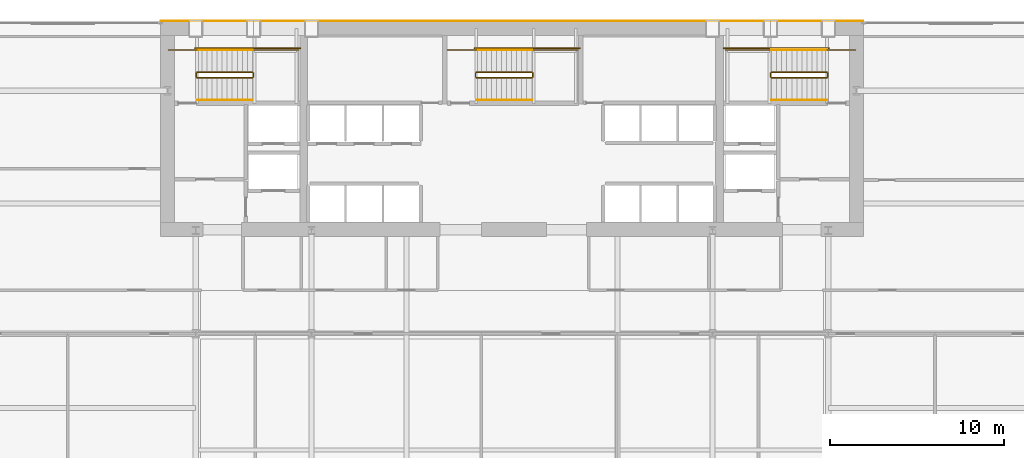
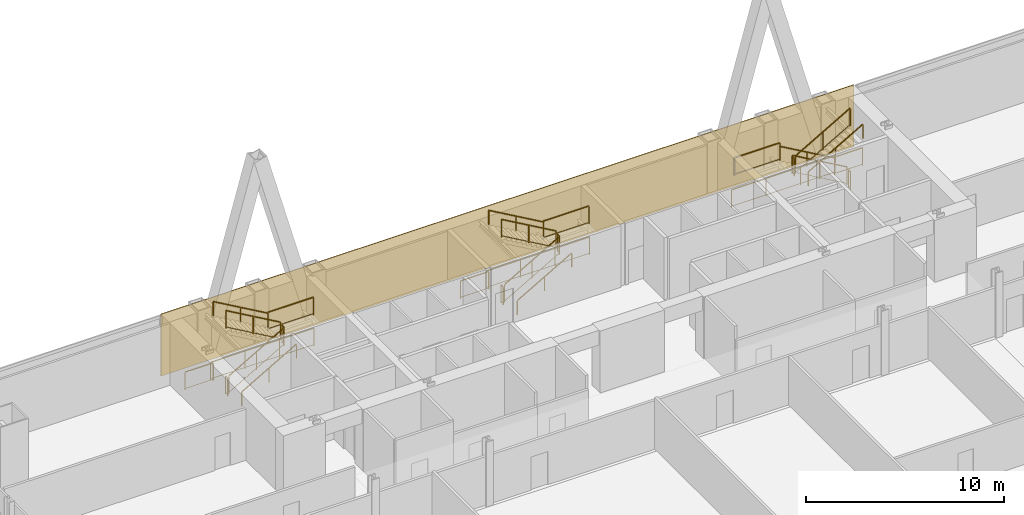
# One storey, part 36 of 37: 27 railings, 1 covering.
"""IFC4 building model written with IfcOpenShell, lengths in metres."""

import ifcopenshell
import ifcopenshell.guid

model = None  # the IFC model being written
_history = None  # IfcOwnerHistory: only IFC2X3 demands one
_inside = {}  # id of a spatial element -> (the spatial element, [elements in it])
_under = {}  # id of a project, library or spatial element -> (it, [spatial elements below it])
_declared = {}  # id of a project -> (the project, [libraries it declares])
_typed = {}  # id of a type object -> (the type object, [elements of that type])
_made_of = {}  # id of a material, layer set ... -> (it, [elements and type objects made of it])


def new_model(schema):
    """Start an empty IFC model of exactly this schema.

    Asked for "IFC4X3", IfcOpenShell would pick the latest addendum, in which some entities
    have other attributes; the version numbers below select the first issue.
    IFC2X3 requires an IfcOwnerHistory on every rooted entity: one is made here for all.
    """
    global model, _history
    if schema == "IFC4X3":
        model = ifcopenshell.file(schema_version=(4, 3, 0, 0))
    else:
        model = ifcopenshell.file(schema=schema)
    _inside.clear()
    _under.clear()
    _declared.clear()
    _typed.clear()
    _made_of.clear()
    _history = None
    if model.schema == "IFC2X3":
        org = make("IfcOrganization", Name="unknown")
        user = make(
            "IfcPersonAndOrganization",
            ThePerson=make("IfcPerson", FamilyName="unknown"),
            TheOrganization=org,
        )
        app = make(
            "IfcApplication",
            ApplicationDeveloper=org,
            Version="unknown",
            ApplicationFullName="unknown",
            ApplicationIdentifier="unknown",
        )
        _history = make(
            "IfcOwnerHistory",
            OwningUser=user,
            OwningApplication=app,
            ChangeAction="ADDED",
            CreationDate=0,
        )
    return model


def make(cls, **values):
    """One entity of the class cls with the attributes given. An attribute that is None is left unset."""
    return model.create_entity(
        cls, **{name: value for name, value in values.items() if value is not None}
    )


def rooted(cls, **values):
    """An entity with a GlobalId (a new one), such as an element, a storey or a relation."""
    return make(cls, GlobalId=ifcopenshell.guid.new(), OwnerHistory=_history, **values)


def si_unit(unit_type, name, prefix=None):
    """IfcSIUnit, for example si_unit("LENGTHUNIT", "METRE", prefix="MILLI")."""
    return make("IfcSIUnit", UnitType=unit_type, Prefix=prefix, Name=name)


def assignment(units):
    """IfcUnitAssignment: the units of a project."""
    return None if units is None else make("IfcUnitAssignment", Units=units)


def point(xyz):
    """IfcCartesianPoint."""
    return None if xyz is None else make("IfcCartesianPoint", Coordinates=xyz)


def direction(xyz):
    """IfcDirection."""
    return None if xyz is None else make("IfcDirection", DirectionRatios=xyz)


def frame(location, z_axis=None, x_axis=None):
    """IfcAxis2Placement3D, a coordinate frame: its origin and axes. An axis left out is left unset."""
    return make(
        "IfcAxis2Placement3D",
        Location=point(location),
        Axis=direction(z_axis),
        RefDirection=direction(x_axis),
    )


def frame_2d(location, x_axis=None):
    """IfcAxis2Placement2D, a coordinate frame in the plane: its origin and x axis."""
    return make(
        "IfcAxis2Placement2D", Location=point(location), RefDirection=direction(x_axis)
    )


def origin():
    """The frame at (0, 0, 0) with its axes left unset."""
    return frame((0.0, 0.0, 0.0))


def origin_2d():
    """The frame at (0, 0) in the plane with its x axis left unset."""
    return frame_2d((0.0, 0.0))


def place(relative_to, where):
    """IfcLocalPlacement: puts the frame where relative to a parent placement (None: the world)."""
    return make(
        "IfcLocalPlacement", PlacementRelTo=relative_to, RelativePlacement=where
    )


def context(
    kind, dimensions, precision=None, world=None, true_north=None, identifier=None
):
    """IfcGeometricRepresentationContext, for example the 3D "Model" context."""
    return make(
        "IfcGeometricRepresentationContext",
        ContextIdentifier=identifier,
        ContextType=kind,
        CoordinateSpaceDimension=dimensions,
        Precision=precision,
        WorldCoordinateSystem=world,
        TrueNorth=true_north,
    )


def subcontext(parent, identifier, kind, view, scale=None):
    """IfcGeometricRepresentationSubContext, for example "Body" below "Model"."""
    return make(
        "IfcGeometricRepresentationSubContext",
        ContextIdentifier=identifier,
        ContextType=kind,
        ParentContext=parent,
        TargetScale=scale,
        TargetView=view,
    )


def project(units=None, contexts=None):
    """IfcProject with its units and contexts."""
    return rooted(
        "IfcProject",
        Name="project",
        RepresentationContexts=contexts,
        UnitsInContext=assignment(units),
    )


def spatial(cls, under=None, at=None, **own):
    """A site, building, storey or space (cls), placed at a placement, below another one or the project."""
    s = rooted(cls, ObjectPlacement=at, **own)
    if under is not None:
        _under.setdefault(under.id(), (under, []))[1].append(s)
    return s


def polyline(points):
    """IfcPolyline through the points."""
    return make("IfcPolyline", Points=[point(p) for p in points])


def profile(cls, at=None, kind="AREA", **sizes):
    """A parametric profile (cls). Its sizes go by their IFC names, for example OverallWidth=200.0."""
    return make(cls, ProfileType=kind, Position=at, **sizes)


def rectangle(**sizes):
    """IfcRectangleProfileDef."""
    return profile("IfcRectangleProfileDef", **sizes)


def outline(outer, holes=None, kind="AREA"):
    """IfcArbitraryClosedProfileDef: a profile drawn as a closed curve; with holes, ...WithVoids."""
    if holes is None:
        return make("IfcArbitraryClosedProfileDef", ProfileType=kind, OuterCurve=outer)
    return make(
        "IfcArbitraryProfileDefWithVoids",
        ProfileType=kind,
        OuterCurve=outer,
        InnerCurves=holes,
    )


def extrude(swept, where, along, depth):
    """IfcExtrudedAreaSolid: the profile swept, set in the frame where, extruded along a direction by depth."""
    return make(
        "IfcExtrudedAreaSolid",
        SweptArea=swept,
        Position=where,
        ExtrudedDirection=direction(along),
        Depth=depth,
    )


def shape(context_of_items, identifier, shape_type, items):
    """IfcShapeRepresentation: the items that make up one representation, for example the "Body"."""
    return make(
        "IfcShapeRepresentation",
        ContextOfItems=context_of_items,
        RepresentationIdentifier=identifier,
        RepresentationType=shape_type,
        Items=items,
    )


def material(Name=None, Category=None):
    """IfcMaterial."""
    return make("IfcMaterial", Name=Name, Category=Category)


def layer(
    of_material, thickness, ventilated=None, Name=None, Category=None, Priority=None
):
    """IfcMaterialLayer: one layer of a wall or slab, of a material (None: an air gap)."""
    return make(
        "IfcMaterialLayer",
        Material=of_material,
        LayerThickness=thickness,
        IsVentilated=ventilated,
        Name=Name,
        Category=Category,
        Priority=Priority,
    )


def layer_set(layers, Name=None):
    """IfcMaterialLayerSet."""
    return make("IfcMaterialLayerSet", MaterialLayers=layers, LayerSetName=Name)


def made_of(thing, what):
    """Note that an element or type object is made of a material, layer set ...; save() writes the relation."""
    if what is not None:
        _made_of.setdefault(what.id(), (what, []))[1].append(thing)
    return thing


def type_object(cls, material=None, **own):
    """A type object (cls), such as IfcWallType, which elements share."""
    return made_of(rooted(cls, **own), material)


def element(
    cls,
    number,
    at=None,
    inside=None,
    cuts=None,
    type_object=None,
    material=None,
    context=None,
    identifier="Body",
    shape_type=None,
    held_by="IfcProductDefinitionShape",
    body=None,
    shapes=None,
    **own,
):
    """One element of the class cls, such as IfcWall. Its Tag is "e" and its number.

    at: its placement. inside: the storey or other place that contains it. cuts: it is an
    opening in that element (IfcRelVoidsElement). A single representation is given by context,
    identifier, shape_type and body (its items); several are given by shapes. held_by: the class
    of the entity that holds the representations. save() writes the other relations.
    """
    e = rooted(cls, Tag="e%d" % number, ObjectPlacement=at, **own)
    if body is not None:
        shapes = [shape(context, identifier, shape_type, body)]
    if shapes is not None:
        e.Representation = make(held_by, Representations=shapes)
    if inside is not None:
        _inside.setdefault(inside.id(), (inside, []))[1].append(e)
    if cuts is not None:
        rooted(
            "IfcRelVoidsElement", RelatingBuildingElement=cuts, RelatedOpeningElement=e
        )
    if type_object is not None:
        _typed.setdefault(type_object.id(), (type_object, []))[1].append(e)
    return made_of(e, material)


def aggregate(whole, parts):
    """IfcRelAggregates: a whole, such as a stair, and the parts it consists of."""
    return rooted("IfcRelAggregates", RelatingObject=whole, RelatedObjects=parts)


def save(model, path):
    """Write the relations noted so far, then the file.

    IfcRelAggregates (storeys below a building ...), IfcRelContainedInSpatialStructure (elements
    in a storey), IfcRelDefinesByType, IfcRelAssociatesMaterial and IfcRelDeclares: one each for
    every whole, place, type object, material and project.
    """
    for whole, parts in _under.values():
        aggregate(whole, parts)
    for where, things in _inside.values():
        rooted(
            "IfcRelContainedInSpatialStructure",
            RelatedElements=things,
            RelatingStructure=where,
        )
    for kind, things in _typed.values():
        rooted("IfcRelDefinesByType", RelatedObjects=things, RelatingType=kind)
    for what, things in _made_of.values():
        rooted("IfcRelAssociatesMaterial", RelatedObjects=things, RelatingMaterial=what)
    for by, libraries in _declared.values():
        rooted("IfcRelDeclares", RelatingContext=by, RelatedDefinitions=libraries)
    model.write(path)


model = new_model("IFC4")

# Units and contexts
model_context = context("Model", 3, precision=1e-05, world=origin(), true_north=direction((0.0, 1.0)))
body_context = subcontext(model_context, "Body", "Model", "MODEL_VIEW")
ifc_project = project(units=[si_unit("LENGTHUNIT", "METRE"), si_unit("AREAUNIT", "SQUARE_METRE"), si_unit("VOLUMEUNIT", "CUBIC_METRE"), si_unit("PLANEANGLEUNIT", "RADIAN"), si_unit("MASSUNIT", "GRAM", prefix="KILO")], contexts=[model_context])

# Site, building, storey
site_placement = place(None, origin())
site = spatial("IfcSite", under=ifc_project, at=site_placement, CompositionType="ELEMENT")
building_placement = place(site_placement, origin())
building = spatial("IfcBuilding", under=site, at=building_placement, Name="Khoronbel Lancet Exchange", CompositionType="ELEMENT")
storey_placement = place(building_placement, frame((0.0, 0.0, 61.800048828125)))
storey = spatial("IfcBuildingStorey", under=building, at=storey_placement, Name="L14", CompositionType="ELEMENT", Elevation=61.800048828125)

# Covering
ifc_material_1 = material(Name="Honed Egyptian Limestone & Bronze Rainscreen", Category="masonry")
ifc_layer = layer(ifc_material_1, 0.050048828125, Name="Honed Egyptian Limestone & Bronze Rainscreen")
ifc_layer_set = layer_set([ifc_layer], Name="Honed Egyptian Limestone & Bronze Rainscreen")
covering_type = type_object("IfcCoveringType", Name="COV-CLAD1", PredefinedType="CLADDING", material=ifc_layer_set)
covering_placement = place(storey_placement, origin())
element("IfcCovering", 1, at=covering_placement, inside=storey, type_object=covering_type, Name="Level L14 north rear-core stone and bronze rainscreen cladding", PredefinedType="CLADDING", context=body_context, shape_type="SweptSolid", body=[
    extrude(outline(polyline([(16.199951171875, 53.699951171875), (56.699951171875, 53.699951171875), (56.699951171875, 53.75), (16.199951171875, 53.75), (16.199951171875, 53.699951171875)])), origin(), (0.0, 0.0, 1.0), 3.820068359375),
])

# Railings
ifc_material_2 = material(Name="Painted Steel Balustrade", Category="steel")
railing_type_1 = type_object("IfcRailingType", Name="RL-STG110", PredefinedType="GUARDRAIL", material=ifc_material_2)
railing_1_placement = place(storey_placement, frame((18.300048828125, 50.449951171875, 0.16650390625)))
element("IfcRailing", 2, at=railing_1_placement, inside=storey, type_object=railing_type_1, Name="L14 ST1 stair guard 1", PredefinedType="GUARDRAIL", context=body_context, shape_type="SweptSolid", body=[
    extrude(rectangle(XDim=0.048095703125, YDim=0.048095703125, at=origin_2d()), frame((0.0, 0.0, 1.09619140625), z_axis=(0.86699087805, 0.0, 0.498324008431), x_axis=(0.0, 1.0, 0.0)), (0.0, 0.0, 1.0), 3.679443359375),
    extrude(rectangle(XDim=0.02392578125, YDim=0.02392578125, at=origin_2d()), frame((0.0, 0.0, 0.080078125), z_axis=(0.86699087805, 0.0, 0.498324008431), x_axis=(0.0, 1.0, 0.0)), (0.0, 0.0, 1.0), 3.679443359375),
    extrude(rectangle(XDim=0.0419921875, YDim=0.0419921875, at=origin_2d()), origin(), (0.0, 0.0, 1.0), 1.072021484375),
    extrude(rectangle(XDim=0.0419921875, YDim=0.0419921875, at=origin_2d()), frame((1.594970703125, 0.0, 0.916748046875)), (0.0, 0.0, 1.0), 1.072021484375),
    extrude(rectangle(XDim=0.0419921875, YDim=0.0419921875, at=origin_2d()), frame((3.18994140625, 0.0, 1.83349609375)), (0.0, 0.0, 1.0), 1.072021484375),
])
railing_2_placement = place(storey_placement, frame((21.5400390625, 50.5, 2.0)))
element("IfcRailing", 3, at=railing_2_placement, inside=storey, type_object=railing_type_1, Name="L14 ST1 stair guard 2", PredefinedType="GUARDRAIL", context=body_context, shape_type="SweptSolid", body=[
    extrude(rectangle(XDim=0.048095703125, YDim=0.048095703125, at=origin_2d()), frame((0.0, 0.0, 1.09619140625), z_axis=(0.0, 1.0, 0.0), x_axis=(-1.0, 0.0, 0.0)), (0.0, 0.0, 1.0), 0.219970703125),
    extrude(rectangle(XDim=0.02392578125, YDim=0.02392578125, at=origin_2d()), frame((0.0, 0.0, 0.080078125), z_axis=(0.0, 1.0, 0.0), x_axis=(-1.0, 0.0, 0.0)), (0.0, 0.0, 1.0), 0.219970703125),
    extrude(rectangle(XDim=0.0419921875, YDim=0.0419921875, at=origin_2d()), origin(), (0.0, 0.0, 1.0), 1.072021484375),
    extrude(rectangle(XDim=0.0419921875, YDim=0.0419921875, at=origin_2d()), frame((0.0, 0.219970703125, 0.0)), (0.0, 0.0, 1.0), 1.072021484375),
])
railing_3_placement = place(storey_placement, frame((21.489990234375, 52.050048828125, 2.0)))
element("IfcRailing", 4, at=railing_3_placement, inside=storey, type_object=railing_type_1, Name="L14 ST1 stair guard 3", PredefinedType="GUARDRAIL", context=body_context, shape_type="SweptSolid", body=[
    extrude(rectangle(XDim=0.048095703125, YDim=0.048095703125, at=origin_2d()), frame((0.0, 0.0, 1.09619140625), z_axis=(1.0, 0.0, 0.0), x_axis=(0.0, 1.0, 0.0)), (0.0, 0.0, 1.0), 2.659912109375),
    extrude(rectangle(XDim=0.02392578125, YDim=0.02392578125, at=origin_2d()), frame((0.0, 0.0, 0.080078125), z_axis=(1.0, 0.0, 0.0), x_axis=(0.0, 1.0, 0.0)), (0.0, 0.0, 1.0), 2.659912109375),
    extrude(rectangle(XDim=0.0419921875, YDim=0.0419921875, at=origin_2d()), origin(), (0.0, 0.0, 1.0), 1.072021484375),
    extrude(rectangle(XDim=0.0419921875, YDim=0.0419921875, at=origin_2d()), frame((2.659912109375, 0.0, 0.0)), (0.0, 0.0, 1.0), 1.072021484375),
])
railing_4_placement = place(storey_placement, frame((21.489990234375, 50.77001953125, 2.16650390625)))
element("IfcRailing", 5, at=railing_4_placement, inside=storey, type_object=railing_type_1, Name="L14 ST1 stair guard 4", PredefinedType="GUARDRAIL", context=body_context, shape_type="SweptSolid", body=[
    extrude(rectangle(XDim=0.048095703125, YDim=0.048095703125, at=origin_2d()), frame((0.0, 0.0, 1.09619140625), z_axis=(-0.86699087805, 0.0, 0.498324008431), x_axis=(0.0, -1.0, 0.0)), (0.0, 0.0, 1.0), 3.679443359375),
    extrude(rectangle(XDim=0.02392578125, YDim=0.02392578125, at=origin_2d()), frame((0.0, 0.0, 0.080078125), z_axis=(-0.86699087805, 0.0, 0.498324008431), x_axis=(0.0, -1.0, 0.0)), (0.0, 0.0, 1.0), 3.679443359375),
    extrude(rectangle(XDim=0.0419921875, YDim=0.0419921875, at=origin_2d()), origin(), (0.0, 0.0, 1.0), 1.072021484375),
    extrude(rectangle(XDim=0.0419921875, YDim=0.0419921875, at=origin_2d()), frame((-1.594970703125, 0.0, 0.916748046875)), (0.0, 0.0, 1.0), 1.072021484375),
    extrude(rectangle(XDim=0.0419921875, YDim=0.0419921875, at=origin_2d()), frame((-3.18994140625, 0.0, 1.83349609375)), (0.0, 0.0, 1.0), 1.072021484375),
])
railing_5_placement = place(storey_placement, frame((18.25, 50.5, 0.0)))
element("IfcRailing", 6, at=railing_5_placement, inside=storey, type_object=railing_type_1, Name="L14 ST1 stair guard 5", PredefinedType="GUARDRAIL", context=body_context, shape_type="SweptSolid", body=[
    extrude(rectangle(XDim=0.048095703125, YDim=0.048095703125, at=origin_2d()), frame((0.0, 0.0, 1.09619140625), z_axis=(0.0, 1.0, 0.0), x_axis=(-1.0, 0.0, 0.0)), (0.0, 0.0, 1.0), 0.219970703125),
    extrude(rectangle(XDim=0.02392578125, YDim=0.02392578125, at=origin_2d()), frame((0.0, 0.0, 0.080078125), z_axis=(0.0, 1.0, 0.0), x_axis=(-1.0, 0.0, 0.0)), (0.0, 0.0, 1.0), 0.219970703125),
    extrude(rectangle(XDim=0.0419921875, YDim=0.0419921875, at=origin_2d()), origin(), (0.0, 0.0, 1.0), 1.072021484375),
    extrude(rectangle(XDim=0.0419921875, YDim=0.0419921875, at=origin_2d()), frame((0.0, 0.219970703125, 0.0)), (0.0, 0.0, 1.0), 1.072021484375),
])
railing_6_placement = place(storey_placement, frame((16.64990234375, 52.050048828125, 0.0)))
element("IfcRailing", 7, at=railing_6_placement, inside=storey, type_object=railing_type_1, Name="L14 ST1 stair guard 6", PredefinedType="GUARDRAIL", context=body_context, shape_type="SweptSolid", body=[
    extrude(rectangle(XDim=0.048095703125, YDim=0.048095703125, at=origin_2d()), frame((0.0, 0.0, 1.09619140625), z_axis=(1.0, 0.0, 0.0), x_axis=(0.0, 1.0, 0.0)), (0.0, 0.0, 1.0), 1.650146484375),
    extrude(rectangle(XDim=0.02392578125, YDim=0.02392578125, at=origin_2d()), frame((0.0, 0.0, 0.080078125), z_axis=(1.0, 0.0, 0.0), x_axis=(0.0, 1.0, 0.0)), (0.0, 0.0, 1.0), 1.650146484375),
    extrude(rectangle(XDim=0.0419921875, YDim=0.0419921875, at=origin_2d()), origin(), (0.0, 0.0, 1.0), 1.072021484375),
    extrude(rectangle(XDim=0.0419921875, YDim=0.0419921875, at=origin_2d()), frame((1.650146484375, 0.0, 0.0)), (0.0, 0.0, 1.0), 1.072021484375),
])
railing_7_placement = place(storey_placement, frame((18.199951171875, 52.14990234375, 0.0)))
element("IfcRailing", 8, at=railing_7_placement, inside=storey, type_object=railing_type_1, Name="L14 ST1 stair guard 7", PredefinedType="GUARDRAIL", context=body_context, shape_type="SweptSolid", body=[
    extrude(rectangle(XDim=0.048095703125, YDim=0.048095703125, at=origin_2d()), frame((0.0, 0.0, 1.09619140625), z_axis=(1.0, 0.0, 0.0), x_axis=(0.0, 1.0, 0.0)), (0.0, 0.0, 1.0), 6.050048828125),
    extrude(rectangle(XDim=0.02392578125, YDim=0.02392578125, at=origin_2d()), frame((0.0, 0.0, 0.080078125), z_axis=(1.0, 0.0, 0.0), x_axis=(0.0, 1.0, 0.0)), (0.0, 0.0, 1.0), 6.050048828125),
    extrude(rectangle(XDim=0.0419921875, YDim=0.0419921875, at=origin_2d()), origin(), (0.0, 0.0, 1.0), 1.072021484375),
    extrude(rectangle(XDim=0.0419921875, YDim=0.0419921875, at=origin_2d()), frame((2.0166015625, 0.0, 0.0)), (0.0, 0.0, 1.0), 1.072021484375),
    extrude(rectangle(XDim=0.0419921875, YDim=0.0419921875, at=origin_2d()), frame((4.033447265625, 0.0, 0.0)), (0.0, 0.0, 1.0), 1.072021484375),
    extrude(rectangle(XDim=0.0419921875, YDim=0.0419921875, at=origin_2d()), frame((6.050048828125, 0.0, 0.0)), (0.0, 0.0, 1.0), 1.072021484375),
])
railing_8_placement = place(storey_placement, frame((54.60009765625, 50.77001953125, 0.16650390625)))
element("IfcRailing", 9, at=railing_8_placement, inside=storey, type_object=railing_type_1, Name="L14 ST2 stair guard 1", PredefinedType="GUARDRAIL", context=body_context, shape_type="SweptSolid", body=[
    extrude(rectangle(XDim=0.048095703125, YDim=0.048095703125, at=origin_2d()), frame((0.0, 0.0, 1.09619140625), z_axis=(-0.867007354286, 0.0, 0.498295341753), x_axis=(0.0, -1.0, 0.0)), (0.0, 0.0, 1.0), 3.679443359375),
    extrude(rectangle(XDim=0.02392578125, YDim=0.02392578125, at=origin_2d()), frame((0.0, 0.0, 0.080078125), z_axis=(-0.867007354286, 0.0, 0.498295341753), x_axis=(0.0, -1.0, 0.0)), (0.0, 0.0, 1.0), 3.679443359375),
    extrude(rectangle(XDim=0.0419921875, YDim=0.0419921875, at=origin_2d()), origin(), (0.0, 0.0, 1.0), 1.072021484375),
    extrude(rectangle(XDim=0.0419921875, YDim=0.0419921875, at=origin_2d()), frame((-1.59521484375, 0.0, 0.916748046875)), (0.0, 0.0, 1.0), 1.072021484375),
    extrude(rectangle(XDim=0.0419921875, YDim=0.0419921875, at=origin_2d()), frame((-3.190185546875, 0.0, 1.83349609375)), (0.0, 0.0, 1.0), 1.072021484375),
])
railing_9_placement = place(storey_placement, frame((51.360107421875, 50.719970703125, 2.0)))
element("IfcRailing", 10, at=railing_9_placement, inside=storey, type_object=railing_type_1, Name="L14 ST2 stair guard 2", PredefinedType="GUARDRAIL", context=body_context, shape_type="SweptSolid", body=[
    extrude(rectangle(XDim=0.048095703125, YDim=0.048095703125, at=origin_2d()), frame((0.0, 0.0, 1.09619140625), z_axis=(0.0, -1.0, 0.0), x_axis=(1.0, 0.0, 0.0)), (0.0, 0.0, 1.0), 0.219970703125),
    extrude(rectangle(XDim=0.02392578125, YDim=0.02392578125, at=origin_2d()), frame((0.0, 0.0, 0.080078125), z_axis=(0.0, -1.0, 0.0), x_axis=(1.0, 0.0, 0.0)), (0.0, 0.0, 1.0), 0.219970703125),
    extrude(rectangle(XDim=0.0419921875, YDim=0.0419921875, at=origin_2d()), origin(), (0.0, 0.0, 1.0), 1.072021484375),
    extrude(rectangle(XDim=0.0419921875, YDim=0.0419921875, at=origin_2d()), frame((0.0, -0.219970703125, 0.0)), (0.0, 0.0, 1.0), 1.072021484375),
])
railing_10_placement = place(storey_placement, frame((51.409912109375, 52.050048828125, 2.0)))
element("IfcRailing", 11, at=railing_10_placement, inside=storey, type_object=railing_type_1, Name="L14 ST2 stair guard 3", PredefinedType="GUARDRAIL", context=body_context, shape_type="SweptSolid", body=[
    extrude(rectangle(XDim=0.048095703125, YDim=0.048095703125, at=origin_2d()), frame((0.0, 0.0, 1.09619140625), z_axis=(-1.0, 0.0, 0.0), x_axis=(0.0, -1.0, 0.0)), (0.0, 0.0, 1.0), 2.659912109375),
    extrude(rectangle(XDim=0.02392578125, YDim=0.02392578125, at=origin_2d()), frame((0.0, 0.0, 0.080078125), z_axis=(-1.0, 0.0, 0.0), x_axis=(0.0, -1.0, 0.0)), (0.0, 0.0, 1.0), 2.659912109375),
    extrude(rectangle(XDim=0.0419921875, YDim=0.0419921875, at=origin_2d()), origin(), (0.0, 0.0, 1.0), 1.072021484375),
    extrude(rectangle(XDim=0.0419921875, YDim=0.0419921875, at=origin_2d()), frame((-2.659912109375, 0.0, 0.0)), (0.0, 0.0, 1.0), 1.072021484375),
])
railing_11_placement = place(storey_placement, frame((51.409912109375, 50.449951171875, 2.16650390625)))
element("IfcRailing", 12, at=railing_11_placement, inside=storey, type_object=railing_type_1, Name="L14 ST2 stair guard 4", PredefinedType="GUARDRAIL", context=body_context, shape_type="SweptSolid", body=[
    extrude(rectangle(XDim=0.048095703125, YDim=0.048095703125, at=origin_2d()), frame((0.0, 0.0, 1.09619140625), z_axis=(0.867007354286, 0.0, 0.498295341753), x_axis=(0.0, 1.0, 0.0)), (0.0, 0.0, 1.0), 3.679443359375),
    extrude(rectangle(XDim=0.02392578125, YDim=0.02392578125, at=origin_2d()), frame((0.0, 0.0, 0.080078125), z_axis=(0.867007354286, 0.0, 0.498295341753), x_axis=(0.0, 1.0, 0.0)), (0.0, 0.0, 1.0), 3.679443359375),
    extrude(rectangle(XDim=0.0419921875, YDim=0.0419921875, at=origin_2d()), origin(), (0.0, 0.0, 1.0), 1.072021484375),
    extrude(rectangle(XDim=0.0419921875, YDim=0.0419921875, at=origin_2d()), frame((1.59521484375, 0.0, 0.916748046875)), (0.0, 0.0, 1.0), 1.072021484375),
    extrude(rectangle(XDim=0.0419921875, YDim=0.0419921875, at=origin_2d()), frame((3.190185546875, 0.0, 1.83349609375)), (0.0, 0.0, 1.0), 1.072021484375),
])
railing_12_placement = place(storey_placement, frame((54.64990234375, 50.719970703125, 0.0)))
element("IfcRailing", 13, at=railing_12_placement, inside=storey, type_object=railing_type_1, Name="L14 ST2 stair guard 5", PredefinedType="GUARDRAIL", context=body_context, shape_type="SweptSolid", body=[
    extrude(rectangle(XDim=0.048095703125, YDim=0.048095703125, at=origin_2d()), frame((0.0, 0.0, 1.09619140625), z_axis=(0.0, -1.0, 0.0), x_axis=(1.0, 0.0, 0.0)), (0.0, 0.0, 1.0), 0.219970703125),
    extrude(rectangle(XDim=0.02392578125, YDim=0.02392578125, at=origin_2d()), frame((0.0, 0.0, 0.080078125), z_axis=(0.0, -1.0, 0.0), x_axis=(1.0, 0.0, 0.0)), (0.0, 0.0, 1.0), 0.219970703125),
    extrude(rectangle(XDim=0.0419921875, YDim=0.0419921875, at=origin_2d()), origin(), (0.0, 0.0, 1.0), 1.072021484375),
    extrude(rectangle(XDim=0.0419921875, YDim=0.0419921875, at=origin_2d()), frame((0.0, -0.219970703125, 0.0)), (0.0, 0.0, 1.0), 1.072021484375),
])
railing_13_placement = place(storey_placement, frame((56.25, 52.050048828125, 0.0)))
element("IfcRailing", 14, at=railing_13_placement, inside=storey, type_object=railing_type_1, Name="L14 ST2 stair guard 6", PredefinedType="GUARDRAIL", context=body_context, shape_type="SweptSolid", body=[
    extrude(rectangle(XDim=0.048095703125, YDim=0.048095703125, at=origin_2d()), frame((0.0, 0.0, 1.09619140625), z_axis=(-1.0, 0.0, 0.0), x_axis=(0.0, -1.0, 0.0)), (0.0, 0.0, 1.0), 1.64990234375),
    extrude(rectangle(XDim=0.02392578125, YDim=0.02392578125, at=origin_2d()), frame((0.0, 0.0, 0.080078125), z_axis=(-1.0, 0.0, 0.0), x_axis=(0.0, -1.0, 0.0)), (0.0, 0.0, 1.0), 1.64990234375),
    extrude(rectangle(XDim=0.0419921875, YDim=0.0419921875, at=origin_2d()), origin(), (0.0, 0.0, 1.0), 1.072021484375),
    extrude(rectangle(XDim=0.0419921875, YDim=0.0419921875, at=origin_2d()), frame((-1.64990234375, 0.0, 0.0)), (0.0, 0.0, 1.0), 1.072021484375),
])
railing_14_placement = place(storey_placement, frame((54.699951171875, 52.14990234375, 0.0)))
element("IfcRailing", 15, at=railing_14_placement, inside=storey, type_object=railing_type_1, Name="L14 ST2 stair guard 7", PredefinedType="GUARDRAIL", context=body_context, shape_type="SweptSolid", body=[
    extrude(rectangle(XDim=0.048095703125, YDim=0.048095703125, at=origin_2d()), frame((0.0, 0.0, 1.09619140625), z_axis=(-1.0, 0.0, 0.0), x_axis=(0.0, -1.0, 0.0)), (0.0, 0.0, 1.0), 6.050048828125),
    extrude(rectangle(XDim=0.02392578125, YDim=0.02392578125, at=origin_2d()), frame((0.0, 0.0, 0.080078125), z_axis=(-1.0, 0.0, 0.0), x_axis=(0.0, -1.0, 0.0)), (0.0, 0.0, 1.0), 6.050048828125),
    extrude(rectangle(XDim=0.0419921875, YDim=0.0419921875, at=origin_2d()), origin(), (0.0, 0.0, 1.0), 1.072021484375),
    extrude(rectangle(XDim=0.0419921875, YDim=0.0419921875, at=origin_2d()), frame((-2.0166015625, 0.0, 0.0)), (0.0, 0.0, 1.0), 1.072021484375),
    extrude(rectangle(XDim=0.0419921875, YDim=0.0419921875, at=origin_2d()), frame((-4.033447265625, 0.0, 0.0)), (0.0, 0.0, 1.0), 1.072021484375),
    extrude(rectangle(XDim=0.0419921875, YDim=0.0419921875, at=origin_2d()), frame((-6.050048828125, 0.0, 0.0)), (0.0, 0.0, 1.0), 1.072021484375),
])
railing_15_placement = place(storey_placement, frame((34.39990234375, 50.449951171875, 0.16650390625)))
element("IfcRailing", 16, at=railing_15_placement, inside=storey, type_object=railing_type_1, Name="L14 ST3 stair guard 1", PredefinedType="GUARDRAIL", context=body_context, shape_type="SweptSolid", body=[
    extrude(rectangle(XDim=0.048095703125, YDim=0.048095703125, at=origin_2d()), frame((0.0, 0.0, 1.09619140625), z_axis=(0.867007354286, 0.0, 0.498295341753), x_axis=(0.0, 1.0, 0.0)), (0.0, 0.0, 1.0), 3.679443359375),
    extrude(rectangle(XDim=0.02392578125, YDim=0.02392578125, at=origin_2d()), frame((0.0, 0.0, 0.080078125), z_axis=(0.867007354286, 0.0, 0.498295341753), x_axis=(0.0, 1.0, 0.0)), (0.0, 0.0, 1.0), 3.679443359375),
    extrude(rectangle(XDim=0.0419921875, YDim=0.0419921875, at=origin_2d()), origin(), (0.0, 0.0, 1.0), 1.072021484375),
    extrude(rectangle(XDim=0.0419921875, YDim=0.0419921875, at=origin_2d()), frame((1.59521484375, 0.0, 0.916748046875)), (0.0, 0.0, 1.0), 1.072021484375),
    extrude(rectangle(XDim=0.0419921875, YDim=0.0419921875, at=origin_2d()), frame((3.190185546875, 0.0, 1.83349609375)), (0.0, 0.0, 1.0), 1.072021484375),
])
railing_16_placement = place(storey_placement, frame((37.639892578125, 50.5, 2.0)))
element("IfcRailing", 17, at=railing_16_placement, inside=storey, type_object=railing_type_1, Name="L14 ST3 stair guard 2", PredefinedType="GUARDRAIL", context=body_context, shape_type="SweptSolid", body=[
    extrude(rectangle(XDim=0.048095703125, YDim=0.048095703125, at=origin_2d()), frame((0.0, 0.0, 1.09619140625), z_axis=(0.0, 1.0, 0.0), x_axis=(-1.0, 0.0, 0.0)), (0.0, 0.0, 1.0), 0.219970703125),
    extrude(rectangle(XDim=0.02392578125, YDim=0.02392578125, at=origin_2d()), frame((0.0, 0.0, 0.080078125), z_axis=(0.0, 1.0, 0.0), x_axis=(-1.0, 0.0, 0.0)), (0.0, 0.0, 1.0), 0.219970703125),
    extrude(rectangle(XDim=0.0419921875, YDim=0.0419921875, at=origin_2d()), origin(), (0.0, 0.0, 1.0), 1.072021484375),
    extrude(rectangle(XDim=0.0419921875, YDim=0.0419921875, at=origin_2d()), frame((0.0, 0.219970703125, 0.0)), (0.0, 0.0, 1.0), 1.072021484375),
])
railing_17_placement = place(storey_placement, frame((37.590087890625, 52.050048828125, 2.0)))
element("IfcRailing", 18, at=railing_17_placement, inside=storey, type_object=railing_type_1, Name="L14 ST3 stair guard 3", PredefinedType="GUARDRAIL", context=body_context, shape_type="SweptSolid", body=[
    extrude(rectangle(XDim=0.048095703125, YDim=0.048095703125, at=origin_2d()), frame((0.0, 0.0, 1.09619140625), z_axis=(1.0, 0.0, 0.0), x_axis=(0.0, 1.0, 0.0)), (0.0, 0.0, 1.0), 2.659912109375),
    extrude(rectangle(XDim=0.02392578125, YDim=0.02392578125, at=origin_2d()), frame((0.0, 0.0, 0.080078125), z_axis=(1.0, 0.0, 0.0), x_axis=(0.0, 1.0, 0.0)), (0.0, 0.0, 1.0), 2.659912109375),
    extrude(rectangle(XDim=0.0419921875, YDim=0.0419921875, at=origin_2d()), origin(), (0.0, 0.0, 1.0), 1.072021484375),
    extrude(rectangle(XDim=0.0419921875, YDim=0.0419921875, at=origin_2d()), frame((2.659912109375, 0.0, 0.0)), (0.0, 0.0, 1.0), 1.072021484375),
])
railing_18_placement = place(storey_placement, frame((37.590087890625, 50.77001953125, 2.16650390625)))
element("IfcRailing", 19, at=railing_18_placement, inside=storey, type_object=railing_type_1, Name="L14 ST3 stair guard 4", PredefinedType="GUARDRAIL", context=body_context, shape_type="SweptSolid", body=[
    extrude(rectangle(XDim=0.048095703125, YDim=0.048095703125, at=origin_2d()), frame((0.0, 0.0, 1.09619140625), z_axis=(-0.867007354286, 0.0, 0.498295341753), x_axis=(0.0, -1.0, 0.0)), (0.0, 0.0, 1.0), 3.679443359375),
    extrude(rectangle(XDim=0.02392578125, YDim=0.02392578125, at=origin_2d()), frame((0.0, 0.0, 0.080078125), z_axis=(-0.867007354286, 0.0, 0.498295341753), x_axis=(0.0, -1.0, 0.0)), (0.0, 0.0, 1.0), 3.679443359375),
    extrude(rectangle(XDim=0.0419921875, YDim=0.0419921875, at=origin_2d()), origin(), (0.0, 0.0, 1.0), 1.072021484375),
    extrude(rectangle(XDim=0.0419921875, YDim=0.0419921875, at=origin_2d()), frame((-1.59521484375, 0.0, 0.916748046875)), (0.0, 0.0, 1.0), 1.072021484375),
    extrude(rectangle(XDim=0.0419921875, YDim=0.0419921875, at=origin_2d()), frame((-3.190185546875, 0.0, 1.83349609375)), (0.0, 0.0, 1.0), 1.072021484375),
])
railing_19_placement = place(storey_placement, frame((34.35009765625, 50.5, 0.0)))
element("IfcRailing", 20, at=railing_19_placement, inside=storey, type_object=railing_type_1, Name="L14 ST3 stair guard 5", PredefinedType="GUARDRAIL", context=body_context, shape_type="SweptSolid", body=[
    extrude(rectangle(XDim=0.048095703125, YDim=0.048095703125, at=origin_2d()), frame((0.0, 0.0, 1.09619140625), z_axis=(0.0, 1.0, 0.0), x_axis=(-1.0, 0.0, 0.0)), (0.0, 0.0, 1.0), 0.219970703125),
    extrude(rectangle(XDim=0.02392578125, YDim=0.02392578125, at=origin_2d()), frame((0.0, 0.0, 0.080078125), z_axis=(0.0, 1.0, 0.0), x_axis=(-1.0, 0.0, 0.0)), (0.0, 0.0, 1.0), 0.219970703125),
    extrude(rectangle(XDim=0.0419921875, YDim=0.0419921875, at=origin_2d()), origin(), (0.0, 0.0, 1.0), 1.072021484375),
    extrude(rectangle(XDim=0.0419921875, YDim=0.0419921875, at=origin_2d()), frame((0.0, 0.219970703125, 0.0)), (0.0, 0.0, 1.0), 1.072021484375),
])
railing_20_placement = place(storey_placement, frame((32.75, 52.050048828125, 0.0)))
element("IfcRailing", 21, at=railing_20_placement, inside=storey, type_object=railing_type_1, Name="L14 ST3 stair guard 6", PredefinedType="GUARDRAIL", context=body_context, shape_type="SweptSolid", body=[
    extrude(rectangle(XDim=0.048095703125, YDim=0.048095703125, at=origin_2d()), frame((0.0, 0.0, 1.09619140625), z_axis=(1.0, 0.0, 0.0), x_axis=(0.0, 1.0, 0.0)), (0.0, 0.0, 1.0), 1.64990234375),
    extrude(rectangle(XDim=0.02392578125, YDim=0.02392578125, at=origin_2d()), frame((0.0, 0.0, 0.080078125), z_axis=(1.0, 0.0, 0.0), x_axis=(0.0, 1.0, 0.0)), (0.0, 0.0, 1.0), 1.64990234375),
    extrude(rectangle(XDim=0.0419921875, YDim=0.0419921875, at=origin_2d()), origin(), (0.0, 0.0, 1.0), 1.072021484375),
    extrude(rectangle(XDim=0.0419921875, YDim=0.0419921875, at=origin_2d()), frame((1.64990234375, 0.0, 0.0)), (0.0, 0.0, 1.0), 1.072021484375),
])
railing_21_placement = place(storey_placement, frame((34.300048828125, 52.14990234375, 0.0)))
element("IfcRailing", 22, at=railing_21_placement, inside=storey, type_object=railing_type_1, Name="L14 ST3 stair guard 7", PredefinedType="GUARDRAIL", context=body_context, shape_type="SweptSolid", body=[
    extrude(rectangle(XDim=0.048095703125, YDim=0.048095703125, at=origin_2d()), frame((0.0, 0.0, 1.09619140625), z_axis=(1.0, 0.0, 0.0), x_axis=(0.0, 1.0, 0.0)), (0.0, 0.0, 1.0), 6.050048828125),
    extrude(rectangle(XDim=0.02392578125, YDim=0.02392578125, at=origin_2d()), frame((0.0, 0.0, 0.080078125), z_axis=(1.0, 0.0, 0.0), x_axis=(0.0, 1.0, 0.0)), (0.0, 0.0, 1.0), 6.050048828125),
    extrude(rectangle(XDim=0.0419921875, YDim=0.0419921875, at=origin_2d()), origin(), (0.0, 0.0, 1.0), 1.072021484375),
    extrude(rectangle(XDim=0.0419921875, YDim=0.0419921875, at=origin_2d()), frame((2.0166015625, 0.0, 0.0)), (0.0, 0.0, 1.0), 1.072021484375),
    extrude(rectangle(XDim=0.0419921875, YDim=0.0419921875, at=origin_2d()), frame((4.033447265625, 0.0, 0.0)), (0.0, 0.0, 1.0), 1.072021484375),
    extrude(rectangle(XDim=0.0419921875, YDim=0.0419921875, at=origin_2d()), frame((6.050048828125, 0.0, 0.0)), (0.0, 0.0, 1.0), 1.072021484375),
])
ifc_material_3 = material(Name="Brushed Stainless Steel 316", Category="steel")
railing_type_2 = type_object("IfcRailingType", Name="RL-STH92", PredefinedType="HANDRAIL", material=ifc_material_3)
railing_22_placement = place(storey_placement, frame((18.300048828125, 49.169921875, 0.16650390625)))
element("IfcRailing", 23, at=railing_22_placement, inside=storey, type_object=railing_type_2, Name="L14 ST1 stair handrail 1", PredefinedType="HANDRAIL", context=body_context, shape_type="SweptSolid", body=[
    extrude(rectangle(XDim=0.048095703125, YDim=0.048095703125, at=origin_2d()), frame((0.0, 0.0, 0.8759765625), z_axis=(0.86699087805, 0.0, 0.498324008431), x_axis=(0.0, 1.0, 0.0)), (0.0, 0.0, 1.0), 3.679443359375),
    extrude(rectangle(XDim=0.0419921875, YDim=0.0419921875, at=origin_2d()), origin(), (0.0, 0.0, 1.0), 0.851806640625),
    extrude(rectangle(XDim=0.0419921875, YDim=0.0419921875, at=origin_2d()), frame((1.594970703125, 0.0, 0.916748046875)), (0.0, 0.0, 1.0), 0.851806640625),
    extrude(rectangle(XDim=0.0419921875, YDim=0.0419921875, at=origin_2d()), frame((3.18994140625, 0.0, 1.83349609375)), (0.0, 0.0, 1.0), 0.851806640625),
])
railing_23_placement = place(storey_placement, frame((21.489990234375, 52.050048828125, 2.16650390625)))
element("IfcRailing", 24, at=railing_23_placement, inside=storey, type_object=railing_type_2, Name="L14 ST1 stair handrail 2", PredefinedType="HANDRAIL", context=body_context, shape_type="SweptSolid", body=[
    extrude(rectangle(XDim=0.048095703125, YDim=0.048095703125, at=origin_2d()), frame((0.0, 0.0, 0.8759765625), z_axis=(-0.86699087805, 0.0, 0.498324008431), x_axis=(0.0, -1.0, 0.0)), (0.0, 0.0, 1.0), 3.679443359375),
    extrude(rectangle(XDim=0.0419921875, YDim=0.0419921875, at=origin_2d()), origin(), (0.0, 0.0, 1.0), 0.851806640625),
    extrude(rectangle(XDim=0.0419921875, YDim=0.0419921875, at=origin_2d()), frame((-1.594970703125, 0.0, 0.916748046875)), (0.0, 0.0, 1.0), 0.851806640625),
    extrude(rectangle(XDim=0.0419921875, YDim=0.0419921875, at=origin_2d()), frame((-3.18994140625, 0.0, 1.83349609375)), (0.0, 0.0, 1.0), 0.851806640625),
])
railing_24_placement = place(storey_placement, frame((54.60009765625, 52.050048828125, 0.16650390625)))
element("IfcRailing", 25, at=railing_24_placement, inside=storey, type_object=railing_type_2, Name="L14 ST2 stair handrail 1", PredefinedType="HANDRAIL", context=body_context, shape_type="SweptSolid", body=[
    extrude(rectangle(XDim=0.048095703125, YDim=0.048095703125, at=origin_2d()), frame((0.0, 0.0, 0.8759765625), z_axis=(-0.867007354286, 0.0, 0.498295341753), x_axis=(0.0, -1.0, 0.0)), (0.0, 0.0, 1.0), 3.679443359375),
    extrude(rectangle(XDim=0.0419921875, YDim=0.0419921875, at=origin_2d()), origin(), (0.0, 0.0, 1.0), 0.851806640625),
    extrude(rectangle(XDim=0.0419921875, YDim=0.0419921875, at=origin_2d()), frame((-1.59521484375, 0.0, 0.916748046875)), (0.0, 0.0, 1.0), 0.851806640625),
    extrude(rectangle(XDim=0.0419921875, YDim=0.0419921875, at=origin_2d()), frame((-3.190185546875, 0.0, 1.83349609375)), (0.0, 0.0, 1.0), 0.851806640625),
])
for number, where, name in (
    (26, (51.409912109375, 49.169921875, 2.16650390625), "L14 ST2 stair handrail 2"),
    (27, (34.39990234375, 49.169921875, 0.16650390625), "L14 ST3 stair handrail 1"),
):
    element("IfcRailing", number, at=place(storey_placement, frame(where)), inside=storey, type_object=railing_type_2, Name=name, PredefinedType="HANDRAIL", context=body_context, shape_type="SweptSolid", body=[
        extrude(rectangle(XDim=0.048095703125, YDim=0.048095703125, at=origin_2d()), frame((0.0, 0.0, 0.8759765625), z_axis=(0.867007354286, 0.0, 0.498295341753), x_axis=(0.0, 1.0, 0.0)), (0.0, 0.0, 1.0), 3.679443359375),
        extrude(rectangle(XDim=0.0419921875, YDim=0.0419921875, at=origin_2d()), origin(), (0.0, 0.0, 1.0), 0.851806640625),
        extrude(rectangle(XDim=0.0419921875, YDim=0.0419921875, at=origin_2d()), frame((1.59521484375, 0.0, 0.916748046875)), (0.0, 0.0, 1.0), 0.851806640625),
        extrude(rectangle(XDim=0.0419921875, YDim=0.0419921875, at=origin_2d()), frame((3.190185546875, 0.0, 1.83349609375)), (0.0, 0.0, 1.0), 0.851806640625),
    ])
railing_25_placement = place(storey_placement, frame((37.590087890625, 52.050048828125, 2.16650390625)))
element("IfcRailing", 28, at=railing_25_placement, inside=storey, type_object=railing_type_2, Name="L14 ST3 stair handrail 2", PredefinedType="HANDRAIL", context=body_context, shape_type="SweptSolid", body=[
    extrude(rectangle(XDim=0.048095703125, YDim=0.048095703125, at=origin_2d()), frame((0.0, 0.0, 0.8759765625), z_axis=(-0.867007354286, 0.0, 0.498295341753), x_axis=(0.0, -1.0, 0.0)), (0.0, 0.0, 1.0), 3.679443359375),
    extrude(rectangle(XDim=0.0419921875, YDim=0.0419921875, at=origin_2d()), origin(), (0.0, 0.0, 1.0), 0.851806640625),
    extrude(rectangle(XDim=0.0419921875, YDim=0.0419921875, at=origin_2d()), frame((-1.59521484375, 0.0, 0.916748046875)), (0.0, 0.0, 1.0), 0.851806640625),
    extrude(rectangle(XDim=0.0419921875, YDim=0.0419921875, at=origin_2d()), frame((-3.190185546875, 0.0, 1.83349609375)), (0.0, 0.0, 1.0), 0.851806640625),
])

save(model, "model.ifc")
